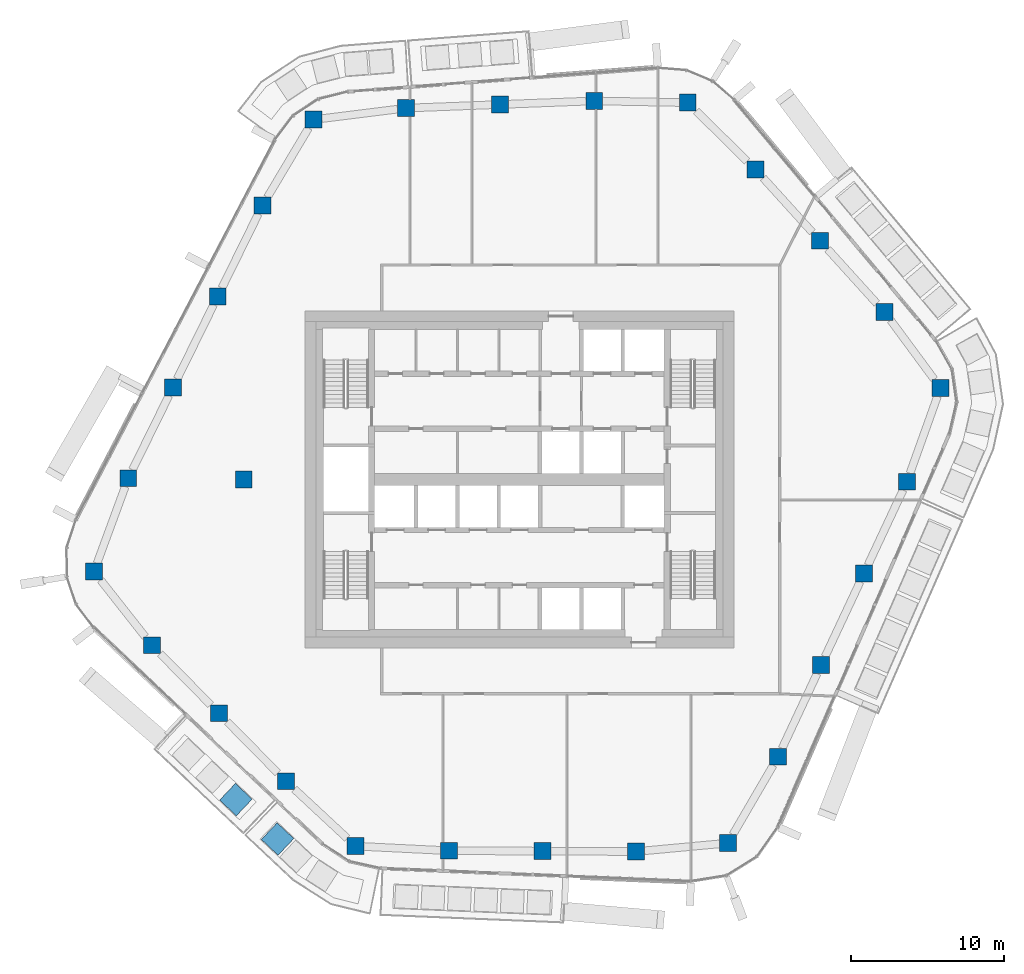
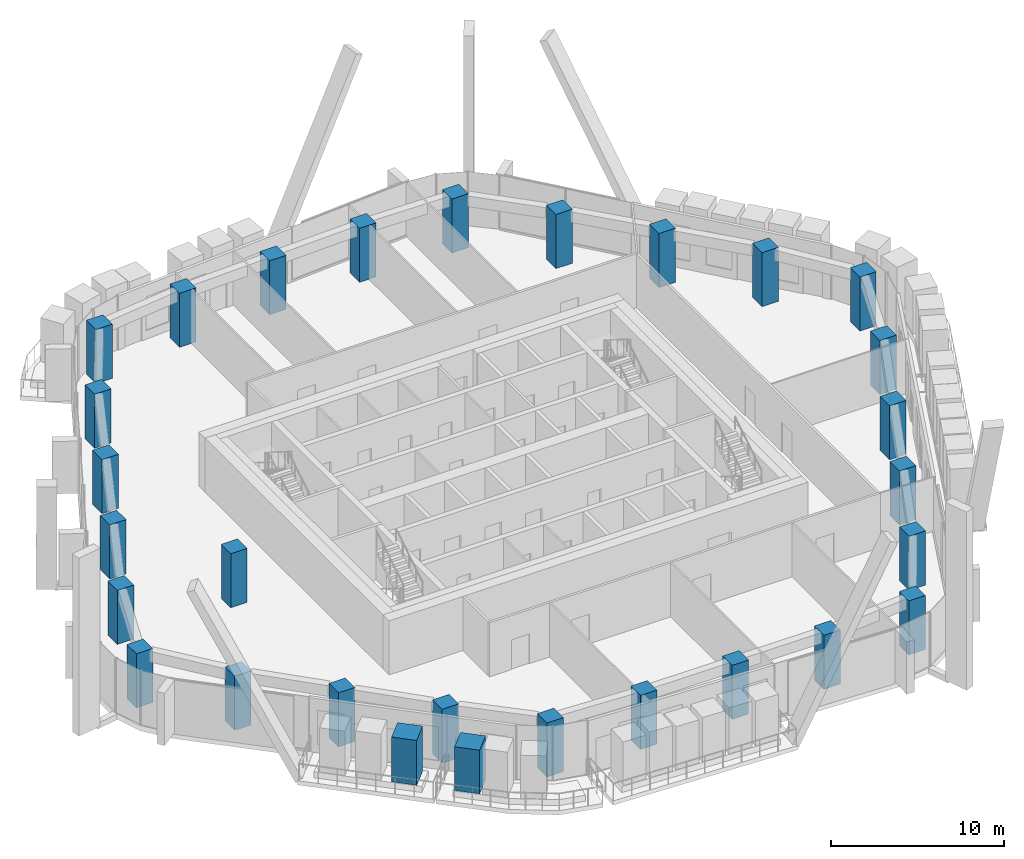
# One storey, part 1 of 20: 27 columns, 2 members.
"""IFC4 building model written with IfcOpenShell, lengths in metres."""

from ifc_helpers import new_model, si_unit, direction, frame, origin, origin_2d, place, context, subcontext, project, spatial, rectangle, extrude, material, material_profile, profile_set, type_object, element, save


model = new_model("IFC4")

# Units and contexts
model_context = context("Model", 3, precision=1e-05, world=origin(), true_north=direction((0.0, 1.0)))
body_context = subcontext(model_context, "Body", "Model", "MODEL_VIEW")
ifc_project = project(units=[si_unit("LENGTHUNIT", "METRE"), si_unit("AREAUNIT", "SQUARE_METRE"), si_unit("VOLUMEUNIT", "CUBIC_METRE"), si_unit("PLANEANGLEUNIT", "RADIAN"), si_unit("MASSUNIT", "GRAM", prefix="KILO")], contexts=[model_context])

# Site, building, storey
site_placement = place(None, origin())
site = spatial("IfcSite", under=ifc_project, at=site_placement, CompositionType="ELEMENT")
building_placement = place(site_placement, origin())
building = spatial("IfcBuilding", under=site, at=building_placement, Name="Dongbaek Canopy Tower", CompositionType="ELEMENT")
storey_placement = place(building_placement, frame((0.0, 0.0, 241.199951171875)))
storey = spatial("IfcBuildingStorey", under=building, at=storey_placement, Name="L50", CompositionType="ELEMENT", Elevation=241.199951171875)

# Columns
ifc_material_1 = material(Name="Concrete C70", Category="concrete")
ifc_material_profile_1 = material_profile(ifc_material_1, rectangle(XDim=1.10009765625, YDim=1.10009765625, at=origin_2d()), Name="RC COLUMN 1100x1100 C70")
ifc_profile_set_1 = profile_set([ifc_material_profile_1], Name="Concrete C70")
column_type = type_object("IfcColumnType", Name="RC COLUMN 1100x1100 C70", PredefinedType="COLUMN", material=ifc_profile_set_1)
for number, where, z_axis, x_axis, name in (
    (1, (13.612060546875, -23.74609375, 0.0), (0.0, 0.0, 1.0), (1.0, 0.0, 0.0), "COL:CZ4-01:L50"),
    (2, (7.615966796875, -24.300048828125, 0.0), (0.0, 0.0, 1.0), (1.0, 0.0, 0.0), "COL:CZ4-02:L50"),
    (3, (1.501953125, -24.27197265625, 0.0), (0.0, 0.0, 1.0), (1.0, 0.0, 0.0), "COL:CZ4-03:L50"),
    (4, (-4.611083984375, -24.24609375, 0.0), (0.0, 0.0, 1.0), (1.0, 0.0, 0.0), "COL:CZ4-04:L50"),
    (5, (-10.697021484375, -23.946044921875, 0.0), (0.0, 0.0, 1.0), (1.0, 0.0, 0.0), "COL:CZ4-05:L50"),
    (6, (-15.2470703125, -19.714111328125, 0.0), (0.0, 0.0, 1.0), (1.0, 0.0, 0.0), "COL:CZ4-06:L50"),
    (7, (-19.6220703125, -15.27197265625, 0.0), (0.0, 0.0, 1.0), (1.0, 0.0, 0.0), "COL:CZ4-07:L50"),
    (8, (-23.9970703125, -10.8291015625, 0.0), (0.0, 0.0, 1.0), (1.0, 0.0, 0.0), "COL:CZ4-08:L50"),
    (9, (-27.781982421875, -6.02001953125, 0.0), (0.0, 0.0, 1.0), (1.0, 0.0, 0.0), "COL:CZ4-09:L50"),
    (10, (-25.5400390625, 0.075927734375, 0.0), (0.0, 0.0, 1.0), (1.0, 0.0, 0.0), "COL:CZ4-10:L50"),
    (11, (-22.62109375, 6.010986328125, 0.0), (0.0, 0.0, 1.0), (1.0, 0.0, 0.0), "COL:CZ4-11:L50"),
    (12, (-19.701904296875, 11.945068359375, 0.0), (0.0, 0.0, 1.0), (1.0, 0.0, 0.0), "COL:CZ4-12:L50"),
    (13, (-16.783935546875, 17.8779296875, 0.0), (0.0, 0.0, 1.0), (1.0, 0.0, 0.0), "COL:CZ4-13:L50"),
    (14, (-13.44189453125, 23.490966796875, 0.0), (0.0, 0.0, 1.0), (1.0, 0.0, 0.0), "COL:CZ4-14:L50"),
    (15, (-7.4150390625, 24.242919921875, 0.0), (0.0, 0.0, 1.0), (1.0, 0.0, 0.0), "COL:CZ4-15:L50"),
    (16, (-1.26611328125, 24.47900390625, 0.0), (0.0, 0.0, 1.0), (1.0, 0.0, 0.0), "COL:CZ4-16:L50"),
    (17, (4.883056640625, 24.714111328125, 0.0), (0.0, 0.0, 1.0), (1.0, 0.0, 0.0), "COL:CZ4-17:L50"),
    (18, (10.989990234375, 24.59912109375, 0.0), (0.0, 0.0, 1.0), (1.0, 0.0, 0.0), "COL:CZ4-18:L50"),
    (19, (15.41796875, 20.22900390625, 0.0), (0.0, 0.0, 1.0), (1.0, 0.0, 0.0), "COL:CZ4-19:L50"),
    (20, (19.625, 15.583984375, 0.0), (0.0, 0.0, 1.0), (1.0, 0.0, 0.0), "COL:CZ4-20:L50"),
    (21, (23.8310546875, 10.93896484375, 0.0), (0.0, 0.0, 1.0), (1.0, 0.0, 0.0), "COL:CZ4-21:L50"),
    (22, (27.491943359375, 5.97705078125, 0.0), (0.0, 0.0, 1.0), (1.0, 0.0, 0.0), "COL:CZ4-22:L50"),
    (23, (25.302001953125, -0.152099609375, 0.0), (0.0, 0.0, 1.0), (1.0, 0.0, 0.0), "COL:CZ4-23:L50"),
    (24, (22.4990234375, -6.138916015625, 0.0), (0.0, 0.0, 1.0), (1.0, 0.0, 0.0), "COL:CZ4-24:L50"),
    (25, (19.695068359375, -12.126953125, 0.0), (0.0, 0.0, 1.0), (1.0, 0.0, 0.0), "COL:CZ4-25:L50"),
    (26, (16.889892578125, -18.114013671875, 0.0), (0.0, 0.0, 1.0), (1.0, 0.0, 0.0), "COL:CZ4-26:L50"),
    (27, (-18.0, 0.0, 0.0), (0.0, 0.0, 1.0), (1.0, 0.0, 0.0), "COL:CIZ4-01:L50"),
):
    element("IfcColumn", number, at=place(storey_placement, frame(where, z_axis=z_axis, x_axis=x_axis)), inside=storey, type_object=column_type, Name=name, PredefinedType="COLUMN", context=body_context, shape_type="SweptSolid", body=[
        extrude(rectangle(XDim=1.10009765625, YDim=1.10009765625, at=origin_2d()), origin(), (0.0, 0.0, 1.0), 3.820068359375),
    ])

# Members
ifc_material_2 = material(Name="Concrete C40/50 planter mass with planting", Category="concrete")
ifc_material_profile_2 = material_profile(ifc_material_2, rectangle(XDim=1.5, YDim=1.5, at=origin_2d()), Name="Terrace PLANTER shrub mass 1500 x 1500")
ifc_profile_set_2 = profile_set([ifc_material_profile_2], Name="Concrete C40/50 planter mass with planting")
member_type = type_object("IfcMemberType", Name="Terrace PLANTER shrub mass 1500 x 1500", PredefinedType="USERDEFINED", material=ifc_profile_set_2)
member_1_placement = place(storey_placement, frame((-18.51611328125, -20.908447265625, 0.420166015625), z_axis=(0.0, 0.0, 1.0), x_axis=(-0.687304953463, -0.72636898402, 0.0)))
element("IfcMember", 28, at=member_1_placement, inside=storey, type_object=member_type, Name="Planter shrubs L50 3.3", ObjectType="PLANTER", PredefinedType="USERDEFINED", context=body_context, shape_type="SweptSolid", body=[
    extrude(rectangle(XDim=1.5, YDim=1.5, at=origin_2d()), origin(), (0.0, 0.0, 1.0), 3.169921875),
])
member_2_placement = place(storey_placement, frame((-15.793701171875, -23.482177734375, 0.420166015625), z_axis=(0.0, 0.0, 1.0), x_axis=(-0.685817459047, -0.727773600007, 0.0)))
element("IfcMember", 29, at=member_2_placement, inside=storey, type_object=member_type, Name="Planter shrubs L50 8.1", ObjectType="PLANTER", PredefinedType="USERDEFINED", context=body_context, shape_type="SweptSolid", body=[
    extrude(rectangle(XDim=1.5, YDim=1.5, at=origin_2d()), origin(), (0.0, 0.0, 1.0), 3.08984375),
])

save(model, "model.ifc")
